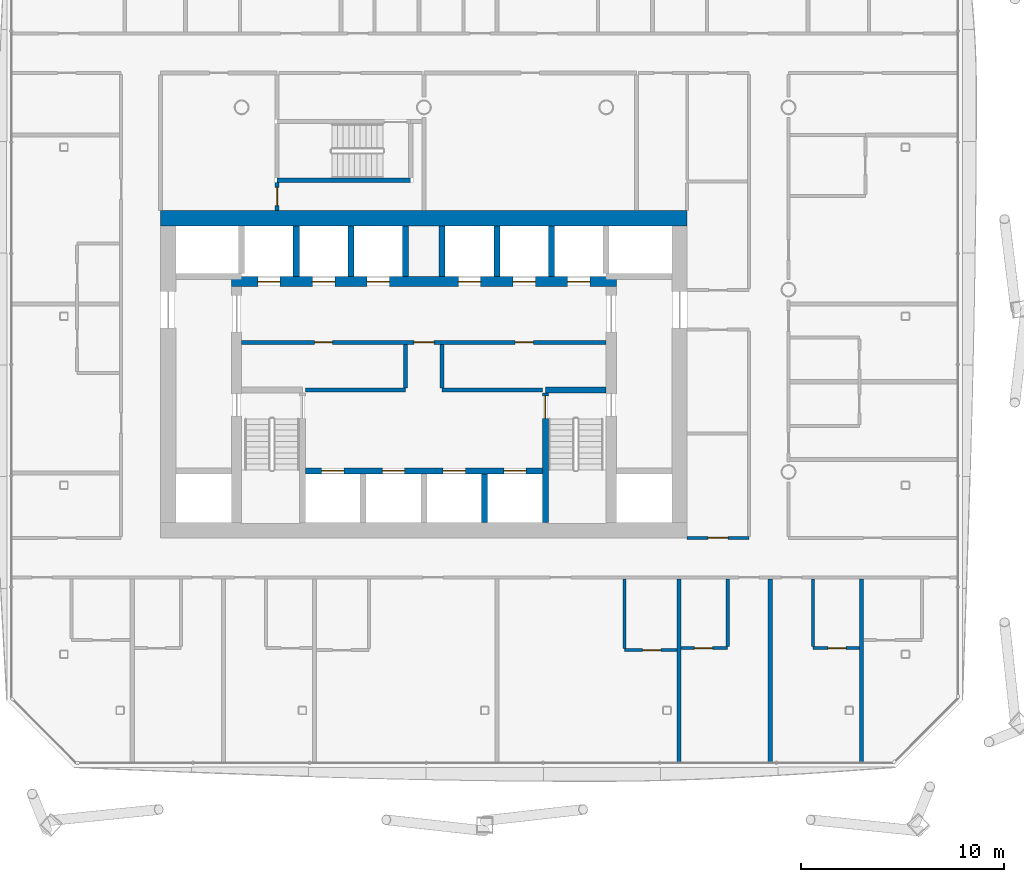
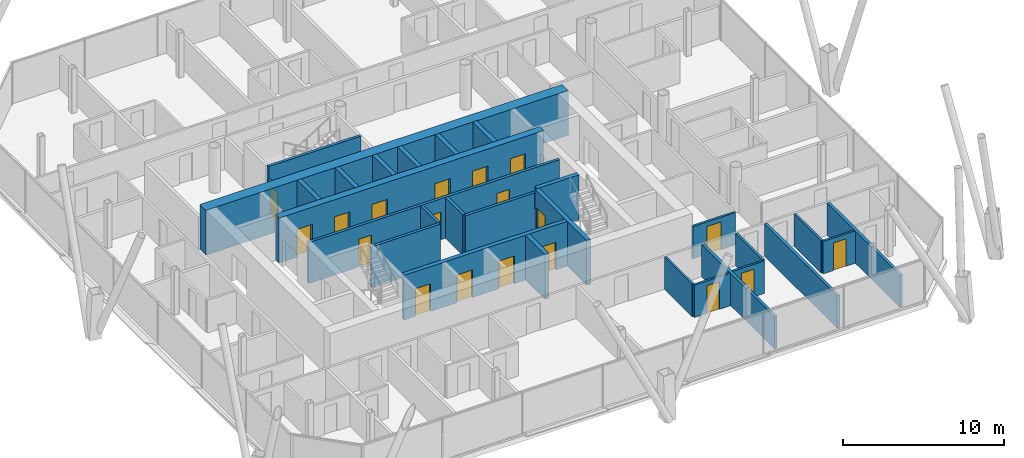
# One storey, part 14 of 22: 29 walls, 19 doors, 19 openings.
"""IFC4 building model written with IfcOpenShell, lengths in metres."""

from ifc_helpers import new_model, si_unit, direction, frame, frame_2d, origin, place, context, subcontext, project, spatial, rectangle, extrude, material, layer, layer_set, type_object, element, fill, save


model = new_model("IFC4")

# Units and contexts
model_context = context("Model", 3, precision=1e-05, world=origin(), true_north=direction((0.0, 1.0)))
body_context = subcontext(model_context, "Body", "Model", "MODEL_VIEW")
ifc_project = project(units=[si_unit("LENGTHUNIT", "METRE"), si_unit("AREAUNIT", "SQUARE_METRE"), si_unit("VOLUMEUNIT", "CUBIC_METRE"), si_unit("PLANEANGLEUNIT", "RADIAN"), si_unit("MASSUNIT", "GRAM", prefix="KILO")], contexts=[model_context])

# Site, building, storey
site_placement = place(None, origin())
site = spatial("IfcSite", under=ifc_project, at=site_placement, CompositionType="ELEMENT")
building_placement = place(site_placement, origin())
building = spatial("IfcBuilding", under=site, at=building_placement, Name="Tskaro Facet Tower", CompositionType="ELEMENT")
storey_placement = place(building_placement, frame((0.0, 0.0, 121.5)))
storey = spatial("IfcBuildingStorey", under=building, at=storey_placement, Name="L28", CompositionType="ELEMENT", Elevation=121.5)

# Wall, openings, doors
ifc_material_1 = material(Name="Concrete C60/75", Category="concrete")
ifc_layer_1 = layer(ifc_material_1, 0.300048828125, Name="Concrete C60/75")
ifc_layer_set_1 = layer_set([ifc_layer_1], Name="Concrete C60/75")
wall_type_1 = type_object("IfcWallType", Name="CORE-SHAFT", PredefinedType="SHEAR", material=ifc_layer_set_1)
wall_1_placement = place(storey_placement, frame((-5.85009765625, -8.949951171875, 0.0), z_axis=(0.0, 0.0, 1.0), x_axis=(1.0, 0.0, 0.0)))
wall_1 = element("IfcWall", 1, at=wall_1_placement, inside=storey, type_object=wall_type_1, Name="Shaft wall W015", PredefinedType="SHEAR", context=body_context, shape_type="SweptSolid", body=[
    extrude(rectangle(XDim=11.7001953125, YDim=0.300048828125, at=frame_2d((5.85009765625, 0.0))), origin(), (0.0, 0.0, 1.0), 3.39990234375),
])
opening_1_placement = place(wall_1_placement, frame((0.800048828125, 0.0, 0.0)))
opening_1 = element("IfcOpeningElement", 2, at=opening_1_placement, cuts=wall_1, Name="Opening LD-FF1", PredefinedType="OPENING", context=body_context, shape_type="SweptSolid", body=[
    extrude(rectangle(XDim=1.10009765625, YDim=2.10009765625, at=frame_2d((0.550048828125, 1.050048828125))), frame((0.0, 0.159912109375, 0.0), z_axis=(0.0, -1.0, 0.0), x_axis=(1.0, 0.0, 0.0)), (0.0, 0.0, 1.0), 0.320068359375),
])
opening_2_placement = place(wall_1_placement, frame((3.800048828125, 0.0, 0.0)))
opening_2 = element("IfcOpeningElement", 3, at=opening_2_placement, cuts=wall_1, Name="Opening LD-FF2", PredefinedType="OPENING", context=body_context, shape_type="SweptSolid", body=[
    extrude(rectangle(XDim=1.10009765625, YDim=2.10009765625, at=frame_2d((0.550048828125, 1.050048828125))), frame((0.0, 0.159912109375, 0.0), z_axis=(0.0, -1.0, 0.0), x_axis=(1.0, 0.0, 0.0)), (0.0, 0.0, 1.0), 0.320068359375),
])
opening_3_placement = place(wall_1_placement, frame((6.800048828125, 0.0, 0.0)))
opening_3 = element("IfcOpeningElement", 4, at=opening_3_placement, cuts=wall_1, Name="Opening LD-SV1", PredefinedType="OPENING", context=body_context, shape_type="SweptSolid", body=[
    extrude(rectangle(XDim=1.10009765625, YDim=2.10009765625, at=frame_2d((0.550048828125, 1.050048828125))), frame((0.0, 0.159912109375, 0.0), z_axis=(0.0, -1.0, 0.0), x_axis=(1.0, 0.0, 0.0)), (0.0, 0.0, 1.0), 0.320068359375),
])
opening_4_placement = place(wall_1_placement, frame((9.800048828125, 0.0, 0.0)))
opening_4 = element("IfcOpeningElement", 5, at=opening_4_placement, cuts=wall_1, Name="Opening LD-SV2", PredefinedType="OPENING", context=body_context, shape_type="SweptSolid", body=[
    extrude(rectangle(XDim=1.10009765625, YDim=2.10009765625, at=frame_2d((0.550048828125, 1.050048828125))), frame((0.0, 0.159912109375, 0.0), z_axis=(0.0, -1.0, 0.0), x_axis=(1.0, 0.0, 0.0)), (0.0, 0.0, 1.0), 0.320068359375),
])
ifc_material_2 = material(Name="Stainless steel", Category="steel")
door_type_1 = type_object("IfcDoorType", Name="D-LANDING", OperationType="NOTDEFINED", PredefinedType="DOOR", material=ifc_material_2)
door_1_placement = place(opening_1_placement, origin())
door_1 = element("IfcDoor", 6, at=door_1_placement, inside=storey, type_object=door_type_1, Name="Landing door FF1", OperationType="DOUBLE_DOOR_SLIDING", OverallHeight=2.10009765625, OverallWidth=1.10009765625, PredefinedType="DOOR", context=body_context, shape_type="SweptSolid", body=[
    extrude(rectangle(XDim=1.10009765625, YDim=2.10009765625, at=frame_2d((0.550048828125, 1.050048828125))), frame((0.0, 0.02490234375, 0.0), z_axis=(0.0, -1.0, 0.0), x_axis=(1.0, 0.0, 0.0)), (0.0, 0.0, 1.0), 0.050048828125),
])
fill(opening_1, door_1)
door_2_placement = place(opening_2_placement, origin())
door_2 = element("IfcDoor", 7, at=door_2_placement, inside=storey, type_object=door_type_1, Name="Landing door FF2", OperationType="DOUBLE_DOOR_SLIDING", OverallHeight=2.10009765625, OverallWidth=1.10009765625, PredefinedType="DOOR", context=body_context, shape_type="SweptSolid", body=[
    extrude(rectangle(XDim=1.10009765625, YDim=2.10009765625, at=frame_2d((0.550048828125, 1.050048828125))), frame((0.0, 0.02490234375, 0.0), z_axis=(0.0, -1.0, 0.0), x_axis=(1.0, 0.0, 0.0)), (0.0, 0.0, 1.0), 0.050048828125),
])
fill(opening_2, door_2)
door_3_placement = place(opening_3_placement, origin())
door_3 = element("IfcDoor", 8, at=door_3_placement, inside=storey, type_object=door_type_1, Name="Landing door SV1", OperationType="DOUBLE_DOOR_SLIDING", OverallHeight=2.10009765625, OverallWidth=1.10009765625, PredefinedType="DOOR", context=body_context, shape_type="SweptSolid", body=[
    extrude(rectangle(XDim=1.10009765625, YDim=2.10009765625, at=frame_2d((0.550048828125, 1.050048828125))), frame((0.0, 0.02490234375, 0.0), z_axis=(0.0, -1.0, 0.0), x_axis=(1.0, 0.0, 0.0)), (0.0, 0.0, 1.0), 0.050048828125),
])
fill(opening_3, door_3)
door_4_placement = place(opening_4_placement, origin())
door_4 = element("IfcDoor", 9, at=door_4_placement, inside=storey, type_object=door_type_1, Name="Landing door SV2", OperationType="DOUBLE_DOOR_SLIDING", OverallHeight=2.10009765625, OverallWidth=1.10009765625, PredefinedType="DOOR", context=body_context, shape_type="SweptSolid", body=[
    extrude(rectangle(XDim=1.10009765625, YDim=2.10009765625, at=frame_2d((0.550048828125, 1.050048828125))), frame((0.0, 0.02490234375, 0.0), z_axis=(0.0, -1.0, 0.0), x_axis=(1.0, 0.0, 0.0)), (0.0, 0.0, 1.0), 0.050048828125),
])
fill(opening_4, door_4)

# Walls
wall_2_placement = place(storey_placement, frame((6.0, -4.949951171875, 0.0), z_axis=(0.0, 0.0, 1.0), x_axis=(1.0, 0.0, 0.0)))
element("IfcWall", 10, at=wall_2_placement, inside=storey, type_object=wall_type_1, Name="Shaft wall W023", PredefinedType="SHEAR", context=body_context, shape_type="SweptSolid", body=[
    extrude(rectangle(XDim=3.0, YDim=0.300048828125, at=frame_2d((1.5, 0.0))), origin(), (0.0, 0.0, 1.0), 3.39990234375),
])
for number, where, z_axis, x_axis, name in (
    (11, (-6.300048828125, 0.64990234375, 0.0), (0.0, 0.0, 1.0), (0.0, 1.0, 0.0), "Shaft wall W070"),
    (12, (-3.60009765625, 0.64990234375, 0.0), (0.0, 0.0, 1.0), (0.0, 1.0, 0.0), "Shaft wall W074"),
    (13, (-0.89990234375, 0.64990234375, 0.0), (0.0, 0.0, 1.0), (0.0, 1.0, 0.0), "Shaft wall W079"),
    (14, (0.89990234375, 0.64990234375, 0.0), (0.0, 0.0, 1.0), (0.0, 1.0, 0.0), "Shaft wall W086"),
):
    element("IfcWall", number, at=place(storey_placement, frame(where, z_axis=z_axis, x_axis=x_axis)), inside=storey, type_object=wall_type_1, Name=name, PredefinedType="SHEAR", context=body_context, shape_type="SweptSolid", body=[
        extrude(rectangle(XDim=2.5, YDim=0.300048828125, at=frame_2d((1.25, 0.0))), origin(), (0.0, 0.0, 1.0), 3.39990234375),
    ])
wall_3_placement = place(storey_placement, frame((3.0, -11.5, 0.0), z_axis=(0.0, 0.0, 1.0), x_axis=(0.0, 1.0, 0.0)))
element("IfcWall", 15, at=wall_3_placement, inside=storey, type_object=wall_type_1, Name="Shaft wall W088", PredefinedType="SHEAR", context=body_context, shape_type="SweptSolid", body=[
    extrude(rectangle(XDim=2.39990234375, YDim=0.300048828125, at=frame_2d((1.199951171875, 0.0))), origin(), (0.0, 0.0, 1.0), 3.39990234375),
])
wall_4_placement = place(storey_placement, frame((3.60009765625, 0.64990234375, 0.0), z_axis=(0.0, 0.0, 1.0), x_axis=(0.0, 1.0, 0.0)))
element("IfcWall", 16, at=wall_4_placement, inside=storey, type_object=wall_type_1, Name="Shaft wall W090", PredefinedType="SHEAR", context=body_context, shape_type="SweptSolid", body=[
    extrude(rectangle(XDim=2.5, YDim=0.300048828125, at=frame_2d((1.25, 0.0))), origin(), (0.0, 0.0, 1.0), 3.39990234375),
])

# Wall, opening, door
wall_5_placement = place(storey_placement, frame((6.0, -5.10009765625, 0.0), z_axis=(0.0, 0.0, 1.0), x_axis=(0.0, -1.0, 0.0)))
wall_5 = element("IfcWall", 17, at=wall_5_placement, inside=storey, type_object=wall_type_1, Name="Shaft wall W092", PredefinedType="SHEAR", context=body_context, shape_type="SweptSolid", body=[
    extrude(rectangle(XDim=6.39990234375, YDim=0.300048828125, at=frame_2d((3.199951171875, 0.0))), origin(), (0.0, 0.0, 1.0), 3.39990234375),
])
opening_5_placement = place(wall_5_placement, frame((0.14990234375, 0.0, 0.0)))
opening_5 = element("IfcOpeningElement", 18, at=opening_5_placement, cuts=wall_5, Name="Opening ST-2-D1", PredefinedType="OPENING", context=body_context, shape_type="SweptSolid", body=[
    extrude(rectangle(XDim=1.10009765625, YDim=2.10009765625, at=frame_2d((0.550048828125, 1.050048828125))), frame((0.0, 0.159912109375, 0.0), z_axis=(0.0, -1.0, 0.0), x_axis=(1.0, 0.0, 0.0)), (0.0, 0.0, 1.0), 0.320068359375),
])
ifc_material_3 = material(Name="Steel", Category="steel")
door_type_2 = type_object("IfcDoorType", Name="D-STAIR", OperationType="NOTDEFINED", PredefinedType="DOOR", material=ifc_material_3)
door_5_placement = place(opening_5_placement, origin())
door_5 = element("IfcDoor", 19, at=door_5_placement, inside=storey, type_object=door_type_2, Name="Stair door 2", OperationType="SINGLE_SWING_RIGHT", OverallHeight=2.10009765625, OverallWidth=1.10009765625, PredefinedType="DOOR", context=body_context, shape_type="SweptSolid", body=[
    extrude(rectangle(XDim=1.10009765625, YDim=2.10009765625, at=frame_2d((0.550048828125, 1.050048828125))), frame((0.0, 0.02490234375, 0.0), z_axis=(0.0, -1.0, 0.0), x_axis=(1.0, 0.0, 0.0)), (0.0, 0.0, 1.0), 0.050048828125),
])
fill(opening_5, door_5)

# Walls
wall_6_placement = place(storey_placement, frame((6.300048828125, 0.64990234375, 0.0), z_axis=(0.0, 0.0, 1.0), x_axis=(0.0, 1.0, 0.0)))
element("IfcWall", 20, at=wall_6_placement, inside=storey, type_object=wall_type_1, Name="Shaft wall W093", PredefinedType="SHEAR", context=body_context, shape_type="SweptSolid", body=[
    extrude(rectangle(XDim=2.5, YDim=0.300048828125, at=frame_2d((1.25, 0.0))), origin(), (0.0, 0.0, 1.0), 3.39990234375),
])
ifc_material_4 = material(Name="Concrete C20/25", Category="concrete")
ifc_layer_2 = layer(ifc_material_4, 0.199951171875, Name="Concrete C20/25")
ifc_layer_set_2 = layer_set([ifc_layer_2], Name="Concrete C20/25")
wall_type_2 = type_object("IfcWallType", Name="CORE-WALL", PredefinedType="SOLIDWALL", material=ifc_layer_set_2)
for number, where, z_axis, x_axis, name in (
    (21, (-5.85009765625, -4.949951171875, 0.0), (0.0, 0.0, 1.0), (1.0, 0.0, 0.0), "Core room wall W021"),
    (22, (0.89990234375, -4.949951171875, 0.0), (0.0, 0.0, 1.0), (1.0, 0.0, 0.0), "Core room wall W022"),
):
    element("IfcWall", number, at=place(storey_placement, frame(where, z_axis=z_axis, x_axis=x_axis)), inside=storey, type_object=wall_type_2, Name=name, PredefinedType="SOLIDWALL", context=body_context, shape_type="SweptSolid", body=[
        extrude(rectangle(XDim=4.9501953125, YDim=0.199951171875, at=frame_2d((2.47509765625, 0.0))), origin(), (0.0, 0.0, 1.0), 3.10009765625),
    ])

# Wall, openings, doors
wall_7_placement = place(storey_placement, frame((9.0, -2.60009765625, 0.0), z_axis=(0.0, 0.0, 1.0), x_axis=(-1.0, 0.0, 0.0)))
wall_7 = element("IfcWall", 23, at=wall_7_placement, inside=storey, type_object=wall_type_2, Name="Core room wall W026", PredefinedType="SOLIDWALL", context=body_context, shape_type="SweptSolid", body=[
    extrude(rectangle(XDim=18.0, YDim=0.199951171875, at=frame_2d((9.0, 0.0))), origin(), (0.0, 0.0, 1.0), 3.10009765625),
])
opening_6_placement = place(wall_7_placement, frame((8.5, 0.0, 0.0)))
opening_6 = element("IfcOpeningElement", 24, at=opening_6_placement, cuts=wall_7, Name="Opening FL-D1", PredefinedType="OPENING", context=body_context, shape_type="SweptSolid", body=[
    extrude(rectangle(XDim=1.0, YDim=2.10009765625, at=frame_2d((0.5, 1.050048828125))), frame((0.0, 0.10986328125, 0.0), z_axis=(0.0, -1.0, 0.0), x_axis=(1.0, 0.0, 0.0)), (0.0, 0.0, 1.0), 0.219970703125),
])
opening_7_placement = place(wall_7_placement, frame((13.5, 0.0, 0.0)))
opening_7 = element("IfcOpeningElement", 25, at=opening_7_placement, cuts=wall_7, Name="Opening T8-D26", PredefinedType="OPENING", context=body_context, shape_type="SweptSolid", body=[
    extrude(rectangle(XDim=0.89990234375, YDim=2.10009765625, at=frame_2d((0.449951171875, 1.050048828125))), frame((0.0, 0.10986328125, 0.0), z_axis=(0.0, -1.0, 0.0), x_axis=(1.0, 0.0, 0.0)), (0.0, 0.0, 1.0), 0.219970703125),
])
opening_8_placement = place(wall_7_placement, frame((3.60009765625, 0.0, 0.0)))
opening_8 = element("IfcOpeningElement", 26, at=opening_8_placement, cuts=wall_7, Name="Opening T8-D27", PredefinedType="OPENING", context=body_context, shape_type="SweptSolid", body=[
    extrude(rectangle(XDim=0.89990234375, YDim=2.10009765625, at=frame_2d((0.449951171875, 1.050048828125))), frame((0.0, 0.10986328125, 0.0), z_axis=(0.0, -1.0, 0.0), x_axis=(1.0, 0.0, 0.0)), (0.0, 0.0, 1.0), 0.219970703125),
])
door_type_3 = type_object("IfcDoorType", Name="D-LOBBY", OperationType="NOTDEFINED", PredefinedType="DOOR", material=ifc_material_3)
door_6_placement = place(opening_6_placement, origin())
door_6 = element("IfcDoor", 27, at=door_6_placement, inside=storey, type_object=door_type_3, Name="Lobby door FL", OperationType="SINGLE_SWING_RIGHT", OverallHeight=2.10009765625, OverallWidth=1.0, PredefinedType="DOOR", context=body_context, shape_type="SweptSolid", body=[
    extrude(rectangle(XDim=1.0, YDim=2.10009765625, at=frame_2d((0.5, 1.050048828125))), frame((0.0, 0.02490234375, 0.0), z_axis=(0.0, -1.0, 0.0), x_axis=(1.0, 0.0, 0.0)), (0.0, 0.0, 1.0), 0.050048828125),
])
fill(opening_6, door_6)
ifc_material_5 = material(Name="Timber", Category="wood")
door_type_4 = type_object("IfcDoorType", Name="D-ROOM", OperationType="NOTDEFINED", PredefinedType="DOOR", material=ifc_material_5)
door_7_placement = place(opening_7_placement, origin())
door_7 = element("IfcDoor", 28, at=door_7_placement, inside=storey, type_object=door_type_4, Name="Door T8-D26", OperationType="SINGLE_SWING_RIGHT", OverallHeight=2.10009765625, OverallWidth=0.89990234375, PredefinedType="DOOR", context=body_context, shape_type="SweptSolid", body=[
    extrude(rectangle(XDim=0.89990234375, YDim=2.10009765625, at=frame_2d((0.449951171875, 1.050048828125))), frame((0.0, 0.02490234375, 0.0), z_axis=(0.0, -1.0, 0.0), x_axis=(1.0, 0.0, 0.0)), (0.0, 0.0, 1.0), 0.050048828125),
])
fill(opening_7, door_7)
door_8_placement = place(opening_8_placement, origin())
door_8 = element("IfcDoor", 29, at=door_8_placement, inside=storey, type_object=door_type_4, Name="Door T8-D27", OperationType="SINGLE_SWING_RIGHT", OverallHeight=2.10009765625, OverallWidth=0.89990234375, PredefinedType="DOOR", context=body_context, shape_type="SweptSolid", body=[
    extrude(rectangle(XDim=0.89990234375, YDim=2.10009765625, at=frame_2d((0.449951171875, 1.050048828125))), frame((0.0, 0.02490234375, 0.0), z_axis=(0.0, -1.0, 0.0), x_axis=(1.0, 0.0, 0.0)), (0.0, 0.0, 1.0), 0.050048828125),
])
fill(opening_8, door_8)

# Walls
for number, where, z_axis, x_axis, name in (
    (30, (-0.89990234375, -4.85009765625, 0.0), (0.0, 0.0, 1.0), (0.0, 1.0, 0.0), "Core room wall W078"),
    (31, (0.89990234375, -4.85009765625, 0.0), (0.0, 0.0, 1.0), (0.0, 1.0, 0.0), "Core room wall W085"),
):
    element("IfcWall", number, at=place(storey_placement, frame(where, z_axis=z_axis, x_axis=x_axis)), inside=storey, type_object=wall_type_2, Name=name, PredefinedType="SOLIDWALL", context=body_context, shape_type="SweptSolid", body=[
        extrude(rectangle(XDim=2.150146484375, YDim=0.199951171875, at=frame_2d((1.0751953125, 0.0))), origin(), (0.0, 0.0, 1.0), 3.10009765625),
    ])

# Wall, openings, doors
ifc_material_6 = material(Name="Concrete C40/50", Category="concrete")
ifc_layer_3 = layer(ifc_material_6, 0.5, Name="Concrete C40/50")
ifc_layer_set_3 = layer_set([ifc_layer_3], Name="Concrete C40/50")
wall_type_3 = type_object("IfcWallType", Name="Core wall 500", PredefinedType="SHEAR", material=ifc_layer_set_3)
wall_8_placement = place(storey_placement, frame((-9.5, 0.39990234375, 0.0), z_axis=(0.0, 0.0, 1.0), x_axis=(1.0, 0.0, 0.0)))
wall_8 = element("IfcWall", 32, at=wall_8_placement, inside=storey, type_object=wall_type_3, Name="Core wall CW-Z3N", PredefinedType="SHEAR", context=body_context, shape_type="SweptSolid", body=[
    extrude(rectangle(XDim=19.0, YDim=0.5, at=frame_2d((9.5, 0.0))), origin(), (0.0, 0.0, 1.0), 3.39990234375),
])
opening_9_placement = place(wall_8_placement, frame((1.300048828125, 0.0, 0.0)))
opening_9 = element("IfcOpeningElement", 33, at=opening_9_placement, cuts=wall_8, Name="Opening LD-MB1", PredefinedType="OPENING", context=body_context, shape_type="SweptSolid", body=[
    extrude(rectangle(XDim=1.10009765625, YDim=2.10009765625, at=frame_2d((0.550048828125, 1.050048828125))), frame((0.0, 0.260009765625, 0.0), z_axis=(0.0, -1.0, 0.0), x_axis=(1.0, 0.0, 0.0)), (0.0, 0.0, 1.0), 0.52001953125),
])
opening_10_placement = place(wall_8_placement, frame((4.0, 0.0, 0.0)))
opening_10 = element("IfcOpeningElement", 34, at=opening_10_placement, cuts=wall_8, Name="Opening LD-MB2", PredefinedType="OPENING", context=body_context, shape_type="SweptSolid", body=[
    extrude(rectangle(XDim=1.10009765625, YDim=2.10009765625, at=frame_2d((0.550048828125, 1.050048828125))), frame((0.0, 0.260009765625, 0.0), z_axis=(0.0, -1.0, 0.0), x_axis=(1.0, 0.0, 0.0)), (0.0, 0.0, 1.0), 0.52001953125),
])
opening_11_placement = place(wall_8_placement, frame((6.699951171875, 0.0, 0.0)))
opening_11 = element("IfcOpeningElement", 35, at=opening_11_placement, cuts=wall_8, Name="Opening LD-MB3", PredefinedType="OPENING", context=body_context, shape_type="SweptSolid", body=[
    extrude(rectangle(XDim=1.10009765625, YDim=2.10009765625, at=frame_2d((0.550048828125, 1.050048828125))), frame((0.0, 0.260009765625, 0.0), z_axis=(0.0, -1.0, 0.0), x_axis=(1.0, 0.0, 0.0)), (0.0, 0.0, 1.0), 0.52001953125),
])
opening_12_placement = place(wall_8_placement, frame((11.199951171875, 0.0, 0.0)))
opening_12 = element("IfcOpeningElement", 36, at=opening_12_placement, cuts=wall_8, Name="Opening LD-MB4", PredefinedType="OPENING", context=body_context, shape_type="SweptSolid", body=[
    extrude(rectangle(XDim=1.10009765625, YDim=2.10009765625, at=frame_2d((0.550048828125, 1.050048828125))), frame((0.0, 0.260009765625, 0.0), z_axis=(0.0, -1.0, 0.0), x_axis=(1.0, 0.0, 0.0)), (0.0, 0.0, 1.0), 0.52001953125),
])
opening_13_placement = place(wall_8_placement, frame((13.89990234375, 0.0, 0.0)))
opening_13 = element("IfcOpeningElement", 37, at=opening_13_placement, cuts=wall_8, Name="Opening LD-MB5", PredefinedType="OPENING", context=body_context, shape_type="SweptSolid", body=[
    extrude(rectangle(XDim=1.10009765625, YDim=2.10009765625, at=frame_2d((0.550048828125, 1.050048828125))), frame((0.0, 0.260009765625, 0.0), z_axis=(0.0, -1.0, 0.0), x_axis=(1.0, 0.0, 0.0)), (0.0, 0.0, 1.0), 0.52001953125),
])
opening_14_placement = place(wall_8_placement, frame((16.60009765625, 0.0, 0.0)))
opening_14 = element("IfcOpeningElement", 38, at=opening_14_placement, cuts=wall_8, Name="Opening LD-MB6", PredefinedType="OPENING", context=body_context, shape_type="SweptSolid", body=[
    extrude(rectangle(XDim=1.10009765625, YDim=2.10009765625, at=frame_2d((0.550048828125, 1.050048828125))), frame((0.0, 0.260009765625, 0.0), z_axis=(0.0, -1.0, 0.0), x_axis=(1.0, 0.0, 0.0)), (0.0, 0.0, 1.0), 0.52001953125),
])
door_9_placement = place(opening_9_placement, origin())
door_9 = element("IfcDoor", 39, at=door_9_placement, inside=storey, type_object=door_type_1, Name="Landing door MB1", OperationType="DOUBLE_DOOR_SLIDING", OverallHeight=2.10009765625, OverallWidth=1.10009765625, PredefinedType="DOOR", context=body_context, shape_type="SweptSolid", body=[
    extrude(rectangle(XDim=1.10009765625, YDim=2.10009765625, at=frame_2d((0.550048828125, 1.050048828125))), frame((0.0, 0.02490234375, 0.0), z_axis=(0.0, -1.0, 0.0), x_axis=(1.0, 0.0, 0.0)), (0.0, 0.0, 1.0), 0.050048828125),
])
fill(opening_9, door_9)
door_10_placement = place(opening_10_placement, origin())
door_10 = element("IfcDoor", 40, at=door_10_placement, inside=storey, type_object=door_type_1, Name="Landing door MB2", OperationType="DOUBLE_DOOR_SLIDING", OverallHeight=2.10009765625, OverallWidth=1.10009765625, PredefinedType="DOOR", context=body_context, shape_type="SweptSolid", body=[
    extrude(rectangle(XDim=1.10009765625, YDim=2.10009765625, at=frame_2d((0.550048828125, 1.050048828125))), frame((0.0, 0.02490234375, 0.0), z_axis=(0.0, -1.0, 0.0), x_axis=(1.0, 0.0, 0.0)), (0.0, 0.0, 1.0), 0.050048828125),
])
fill(opening_10, door_10)
door_11_placement = place(opening_11_placement, origin())
door_11 = element("IfcDoor", 41, at=door_11_placement, inside=storey, type_object=door_type_1, Name="Landing door MB3", OperationType="DOUBLE_DOOR_SLIDING", OverallHeight=2.10009765625, OverallWidth=1.10009765625, PredefinedType="DOOR", context=body_context, shape_type="SweptSolid", body=[
    extrude(rectangle(XDim=1.10009765625, YDim=2.10009765625, at=frame_2d((0.550048828125, 1.050048828125))), frame((0.0, 0.02490234375, 0.0), z_axis=(0.0, -1.0, 0.0), x_axis=(1.0, 0.0, 0.0)), (0.0, 0.0, 1.0), 0.050048828125),
])
fill(opening_11, door_11)
door_12_placement = place(opening_12_placement, origin())
door_12 = element("IfcDoor", 42, at=door_12_placement, inside=storey, type_object=door_type_1, Name="Landing door MB4", OperationType="DOUBLE_DOOR_SLIDING", OverallHeight=2.10009765625, OverallWidth=1.10009765625, PredefinedType="DOOR", context=body_context, shape_type="SweptSolid", body=[
    extrude(rectangle(XDim=1.10009765625, YDim=2.10009765625, at=frame_2d((0.550048828125, 1.050048828125))), frame((0.0, 0.02490234375, 0.0), z_axis=(0.0, -1.0, 0.0), x_axis=(1.0, 0.0, 0.0)), (0.0, 0.0, 1.0), 0.050048828125),
])
fill(opening_12, door_12)
door_13_placement = place(opening_13_placement, origin())
door_13 = element("IfcDoor", 43, at=door_13_placement, inside=storey, type_object=door_type_1, Name="Landing door MB5", OperationType="DOUBLE_DOOR_SLIDING", OverallHeight=2.10009765625, OverallWidth=1.10009765625, PredefinedType="DOOR", context=body_context, shape_type="SweptSolid", body=[
    extrude(rectangle(XDim=1.10009765625, YDim=2.10009765625, at=frame_2d((0.550048828125, 1.050048828125))), frame((0.0, 0.02490234375, 0.0), z_axis=(0.0, -1.0, 0.0), x_axis=(1.0, 0.0, 0.0)), (0.0, 0.0, 1.0), 0.050048828125),
])
fill(opening_13, door_13)
door_14_placement = place(opening_14_placement, origin())
door_14 = element("IfcDoor", 44, at=door_14_placement, inside=storey, type_object=door_type_1, Name="Landing door MB6", OperationType="DOUBLE_DOOR_SLIDING", OverallHeight=2.10009765625, OverallWidth=1.10009765625, PredefinedType="DOOR", context=body_context, shape_type="SweptSolid", body=[
    extrude(rectangle(XDim=1.10009765625, YDim=2.10009765625, at=frame_2d((0.550048828125, 1.050048828125))), frame((0.0, 0.02490234375, 0.0), z_axis=(0.0, -1.0, 0.0), x_axis=(1.0, 0.0, 0.0)), (0.0, 0.0, 1.0), 0.050048828125),
])
fill(opening_14, door_14)

# Wall
ifc_material_7 = material(Name="Concrete C50/60", Category="concrete")
ifc_layer_4 = layer(ifc_material_7, 0.75, Name="Concrete C50/60")
ifc_layer_set_4 = layer_set([ifc_layer_4], Name="Concrete C50/60")
wall_type_4 = type_object("IfcWallType", Name="Core wall 750", PredefinedType="SHEAR", material=ifc_layer_set_4)
wall_9_placement = place(storey_placement, frame((-13.0, 3.52490234375, 0.0), z_axis=(0.0, 0.0, 1.0), x_axis=(1.0, 0.0, 0.0)))
element("IfcWall", 45, at=wall_9_placement, inside=storey, type_object=wall_type_4, Name="Core wall CW-Z2N", PredefinedType="SHEAR", context=body_context, shape_type="SweptSolid", body=[
    extrude(rectangle(XDim=26.0, YDim=0.75, at=frame_2d((13.0, 0.0))), origin(), (0.0, 0.0, 1.0), 3.39990234375),
])

# Wall, opening, door
ifc_material_8 = material(Name="Gypsum board on steel studs", Category="steel")
ifc_layer_5 = layer(ifc_material_8, 0.14990234375, Name="Gypsum board on steel studs")
ifc_layer_set_5 = layer_set([ifc_layer_5], Name="Gypsum board on steel studs")
wall_type_5 = type_object("IfcWallType", Name="PART-CORR", PredefinedType="PARTITIONING", material=ifc_layer_set_5)
wall_10_placement = place(storey_placement, frame((9.89990234375, -17.800048828125, 0.0), z_axis=(0.0, 0.0, 1.0), x_axis=(1.0, 0.0, 0.0)))
wall_10 = element("IfcWall", 46, at=wall_10_placement, inside=storey, type_object=wall_type_5, Name="Corridor wall W002", PredefinedType="PARTITIONING", context=body_context, shape_type="SweptSolid", body=[
    extrude(rectangle(XDim=2.60009765625, YDim=0.14990234375, at=frame_2d((1.300048828125, 0.0))), origin(), (0.0, 0.0, 1.0), 2.4599609375),
])
opening_15_placement = place(wall_10_placement, frame((0.89990234375, 0.0, 0.0)))
opening_15 = element("IfcOpeningElement", 47, at=opening_15_placement, cuts=wall_10, Name="Opening T8-D02", PredefinedType="OPENING", context=body_context, shape_type="SweptSolid", body=[
    extrude(rectangle(XDim=0.89990234375, YDim=2.10009765625, at=frame_2d((0.449951171875, 1.050048828125))), frame((0.0, 0.0849609375, 0.0), z_axis=(0.0, -1.0, 0.0), x_axis=(1.0, 0.0, 0.0)), (0.0, 0.0, 1.0), 0.169921875),
])
door_15_placement = place(opening_15_placement, origin())
door_15 = element("IfcDoor", 48, at=door_15_placement, inside=storey, type_object=door_type_4, Name="Door T8-D02", OperationType="SINGLE_SWING_LEFT", OverallHeight=2.10009765625, OverallWidth=0.89990234375, PredefinedType="DOOR", context=body_context, shape_type="SweptSolid", body=[
    extrude(rectangle(XDim=0.89990234375, YDim=2.10009765625, at=frame_2d((0.449951171875, 1.050048828125))), frame((0.0, 0.02490234375, 0.0), z_axis=(0.0, -1.0, 0.0), x_axis=(1.0, 0.0, 0.0)), (0.0, 0.0, 1.0), 0.050048828125),
])
fill(opening_15, door_15)

wall_11_placement = place(storey_placement, frame((12.699951171875, -17.699951171875, 0.0), z_axis=(0.0, 0.0, 1.0), x_axis=(1.0, 0.0, 0.0)))
wall_11 = element("IfcWall", 49, at=wall_11_placement, inside=storey, type_object=wall_type_5, Name="Corridor wall W005", PredefinedType="PARTITIONING", context=body_context, shape_type="SweptSolid", body=[
    extrude(rectangle(XDim=2.300048828125, YDim=0.14990234375, at=frame_2d((1.14990234375, 0.0))), origin(), (0.0, 0.0, 1.0), 2.4599609375),
])
opening_16_placement = place(wall_11_placement, frame((0.64990234375, 0.0, 0.0)))
opening_16 = element("IfcOpeningElement", 50, at=opening_16_placement, cuts=wall_11, Name="Opening T8-D05", PredefinedType="OPENING", context=body_context, shape_type="SweptSolid", body=[
    extrude(rectangle(XDim=0.89990234375, YDim=2.10009765625, at=frame_2d((0.449951171875, 1.050048828125))), frame((0.0, 0.0849609375, 0.0), z_axis=(0.0, -1.0, 0.0), x_axis=(1.0, 0.0, 0.0)), (0.0, 0.0, 1.0), 0.169921875),
])
door_16_placement = place(opening_16_placement, origin())
door_16 = element("IfcDoor", 51, at=door_16_placement, inside=storey, type_object=door_type_4, Name="Door T8-D05", OperationType="SINGLE_SWING_LEFT", OverallHeight=2.10009765625, OverallWidth=0.89990234375, PredefinedType="DOOR", context=body_context, shape_type="SweptSolid", body=[
    extrude(rectangle(XDim=0.89990234375, YDim=2.10009765625, at=frame_2d((0.449951171875, 1.050048828125))), frame((0.0, 0.02490234375, 0.0), z_axis=(0.0, -1.0, 0.0), x_axis=(1.0, 0.0, 0.0)), (0.0, 0.0, 1.0), 0.050048828125),
])
fill(opening_16, door_16)

wall_12_placement = place(storey_placement, frame((19.198974609375, -17.699951171875, 0.0), z_axis=(0.0, 0.0, 1.0), x_axis=(1.0, 0.0, 0.0)))
wall_12 = element("IfcWall", 52, at=wall_12_placement, inside=storey, type_object=wall_type_5, Name="Corridor wall W006", PredefinedType="PARTITIONING", context=body_context, shape_type="SweptSolid", body=[
    extrude(rectangle(XDim=2.300048828125, YDim=0.14990234375, at=frame_2d((1.14990234375, 0.0))), origin(), (0.0, 0.0, 1.0), 2.4599609375),
])
opening_17_placement = place(wall_12_placement, frame((0.75, 0.0, 0.0)))
opening_17 = element("IfcOpeningElement", 53, at=opening_17_placement, cuts=wall_12, Name="Opening T8-D06", PredefinedType="OPENING", context=body_context, shape_type="SweptSolid", body=[
    extrude(rectangle(XDim=0.89990234375, YDim=2.10009765625, at=frame_2d((0.449951171875, 1.050048828125))), frame((0.0, 0.0849609375, 0.0), z_axis=(0.0, -1.0, 0.0), x_axis=(1.0, 0.0, 0.0)), (0.0, 0.0, 1.0), 0.169921875),
])
door_17_placement = place(opening_17_placement, origin())
door_17 = element("IfcDoor", 54, at=door_17_placement, inside=storey, type_object=door_type_4, Name="Door T8-D06", OperationType="SINGLE_SWING_LEFT", OverallHeight=2.10009765625, OverallWidth=0.89990234375, PredefinedType="DOOR", context=body_context, shape_type="SweptSolid", body=[
    extrude(rectangle(XDim=0.89990234375, YDim=2.10009765625, at=frame_2d((0.449951171875, 1.050048828125))), frame((0.0, 0.02490234375, 0.0), z_axis=(0.0, -1.0, 0.0), x_axis=(1.0, 0.0, 0.0)), (0.0, 0.0, 1.0), 0.050048828125),
])
fill(opening_17, door_17)

wall_13_placement = place(storey_placement, frame((13.0, -12.25, 0.0), z_axis=(0.0, 0.0, 1.0), x_axis=(1.0, 0.0, 0.0)))
wall_13 = element("IfcWall", 55, at=wall_13_placement, inside=storey, type_object=wall_type_5, Name="Corridor wall W011", PredefinedType="PARTITIONING", context=body_context, shape_type="SweptSolid", body=[
    extrude(rectangle(XDim=3.050048828125, YDim=0.14990234375, at=frame_2d((1.52490234375, 0.0))), origin(), (0.0, 0.0, 1.0), 2.4599609375),
])
opening_18_placement = place(wall_13_placement, frame((1.02490234375, 0.0, 0.0)))
opening_18 = element("IfcOpeningElement", 56, at=opening_18_placement, cuts=wall_13, Name="Opening T8-D18", PredefinedType="OPENING", context=body_context, shape_type="SweptSolid", body=[
    extrude(rectangle(XDim=1.0, YDim=2.10009765625, at=frame_2d((0.5, 1.050048828125))), frame((0.0, 0.0849609375, 0.0), z_axis=(0.0, -1.0, 0.0), x_axis=(1.0, 0.0, 0.0)), (0.0, 0.0, 1.0), 0.169921875),
])
door_type_5 = type_object("IfcDoorType", Name="D-ROOM-WIDE", OperationType="NOTDEFINED", PredefinedType="DOOR", material=ifc_material_5)
door_18_placement = place(opening_18_placement, origin())
door_18 = element("IfcDoor", 57, at=door_18_placement, inside=storey, type_object=door_type_5, Name="Door T8-D18", OperationType="SINGLE_SWING_LEFT", OverallHeight=2.10009765625, OverallWidth=1.0, PredefinedType="DOOR", context=body_context, shape_type="SweptSolid", body=[
    extrude(rectangle(XDim=1.0, YDim=2.10009765625, at=frame_2d((0.5, 1.050048828125))), frame((0.0, 0.02490234375, 0.0), z_axis=(0.0, -1.0, 0.0), x_axis=(1.0, 0.0, 0.0)), (0.0, 0.0, 1.0), 0.050048828125),
])
fill(opening_18, door_18)

# Walls
wall_14_placement = place(storey_placement, frame((9.89990234375, -17.72509765625, 0.0), z_axis=(0.0, 0.0, 1.0), x_axis=(0.0, 1.0, 0.0)))
element("IfcWall", 58, at=wall_14_placement, inside=storey, type_object=wall_type_5, Name="Corridor wall W096", PredefinedType="PARTITIONING", context=body_context, shape_type="SweptSolid", body=[
    extrude(rectangle(XDim=3.4501953125, YDim=0.14990234375, at=frame_2d((1.72509765625, 0.0))), origin(), (0.0, 0.0, 1.0), 2.4599609375),
])
for number, where, z_axis, x_axis, name in (
    (59, (15.0, -17.625, 0.0), (0.0, 0.0, 1.0), (0.0, 1.0, 0.0), "Corridor wall W103"),
    (60, (19.198974609375, -17.625, 0.0), (0.0, 0.0, 1.0), (0.0, 1.0, 0.0), "Corridor wall W112"),
):
    element("IfcWall", number, at=place(storey_placement, frame(where, z_axis=z_axis, x_axis=x_axis)), inside=storey, type_object=wall_type_5, Name=name, PredefinedType="PARTITIONING", context=body_context, shape_type="SweptSolid", body=[
        extrude(rectangle(XDim=3.35009765625, YDim=0.14990234375, at=frame_2d((1.675048828125, 0.0))), origin(), (0.0, 0.0, 1.0), 2.4599609375),
    ])
ifc_layer_6 = layer(ifc_material_8, 0.199951171875, Name="Gypsum board on steel studs")
ifc_layer_set_6 = layer_set([ifc_layer_6], Name="Gypsum board on steel studs")
wall_type_6 = type_object("IfcWallType", Name="PART-DEMISING", PredefinedType="PARTITIONING", material=ifc_layer_set_6)
for number, where, z_axis, x_axis, name in (
    (61, (12.60009765625, -23.31689453125, 0.0), (0.0, 0.0, 1.0), (0.0, 1.0, 0.0), "Guest room wall W099"),
    (62, (17.09912109375, -23.31689453125, 0.0), (0.0, 0.0, 1.0), (0.0, 1.0, 0.0), "Guest room wall W106"),
    (63, (21.59912109375, -23.31689453125, 0.0), (0.0, 0.0, 1.0), (0.0, 1.0, 0.0), "Guest room wall W114"),
):
    element("IfcWall", number, at=place(storey_placement, frame(where, z_axis=z_axis, x_axis=x_axis)), inside=storey, type_object=wall_type_6, Name=name, PredefinedType="PARTITIONING", context=body_context, shape_type="SweptSolid", body=[
        extrude(rectangle(XDim=9.0419921875, YDim=0.199951171875, at=frame_2d((4.52099609375, 0.0))), origin(), (0.0, 0.0, 1.0), 2.4599609375),
    ])
ifc_layer_7 = layer(ifc_material_1, 0.199951171875, Name="Concrete C60/75")
ifc_layer_set_7 = layer_set([ifc_layer_7], Name="Concrete C60/75")
wall_type_7 = type_object("IfcWallType", Name="STAIR-WALL", PredefinedType="SHEAR", material=ifc_layer_set_7)
wall_15_placement = place(storey_placement, frame((-7.25, 5.39990234375, 0.0), z_axis=(0.0, 0.0, 1.0), x_axis=(1.0, 0.0, 0.0)))
element("IfcWall", 64, at=wall_15_placement, inside=storey, type_object=wall_type_7, Name="Stair wall W037", PredefinedType="SHEAR", context=body_context, shape_type="SweptSolid", body=[
    extrude(rectangle(XDim=6.60009765625, YDim=0.199951171875, at=frame_2d((3.300048828125, 0.0))), origin(), (0.0, 0.0, 1.0), 3.39990234375),
])

# Wall, opening, door
ifc_layer_8 = layer(ifc_material_4, 0.199951171875, Name="Concrete C20/25")
ifc_layer_set_8 = layer_set([ifc_layer_8], Name="Concrete C20/25")
wall_type_8 = type_object("IfcWallType", Name="WALL-RISER", PredefinedType="SOLIDWALL", material=ifc_layer_set_8)
wall_16_placement = place(storey_placement, frame((-7.25, 5.300048828125, 0.0), z_axis=(0.0, 0.0, 1.0), x_axis=(0.0, -1.0, 0.0)))
wall_16 = element("IfcWall", 65, at=wall_16_placement, inside=storey, type_object=wall_type_8, Name="Riser room wall W067", PredefinedType="SOLIDWALL", context=body_context, shape_type="SweptSolid", body=[
    extrude(rectangle(XDim=1.400146484375, YDim=0.199951171875, at=frame_2d((0.7001953125, 0.0))), origin(), (0.0, 0.0, 1.0), 2.4599609375),
])
opening_19_placement = place(wall_16_placement, frame((0.25, 0.0, 0.0)))
opening_19 = element("IfcOpeningElement", 66, at=opening_19_placement, cuts=wall_16, Name="Opening T8-D40", PredefinedType="OPENING", context=body_context, shape_type="SweptSolid", body=[
    extrude(rectangle(XDim=0.89990234375, YDim=2.10009765625, at=frame_2d((0.449951171875, 1.050048828125))), frame((0.0, 0.10986328125, 0.0), z_axis=(0.0, -1.0, 0.0), x_axis=(1.0, 0.0, 0.0)), (0.0, 0.0, 1.0), 0.219970703125),
])
door_type_6 = type_object("IfcDoorType", Name="D-RISER", OperationType="NOTDEFINED", PredefinedType="DOOR", material=ifc_material_3)
door_19_placement = place(opening_19_placement, origin())
door_19 = element("IfcDoor", 67, at=door_19_placement, inside=storey, type_object=door_type_6, Name="Door T8-D40", OperationType="SINGLE_SWING_RIGHT", OverallHeight=2.10009765625, OverallWidth=0.89990234375, PredefinedType="DOOR", context=body_context, shape_type="SweptSolid", body=[
    extrude(rectangle(XDim=0.89990234375, YDim=2.10009765625, at=frame_2d((0.449951171875, 1.050048828125))), frame((0.0, 0.02490234375, 0.0), z_axis=(0.0, -1.0, 0.0), x_axis=(1.0, 0.0, 0.0)), (0.0, 0.0, 1.0), 0.050048828125),
])
fill(opening_19, door_19)

save(model, "model.ifc")
